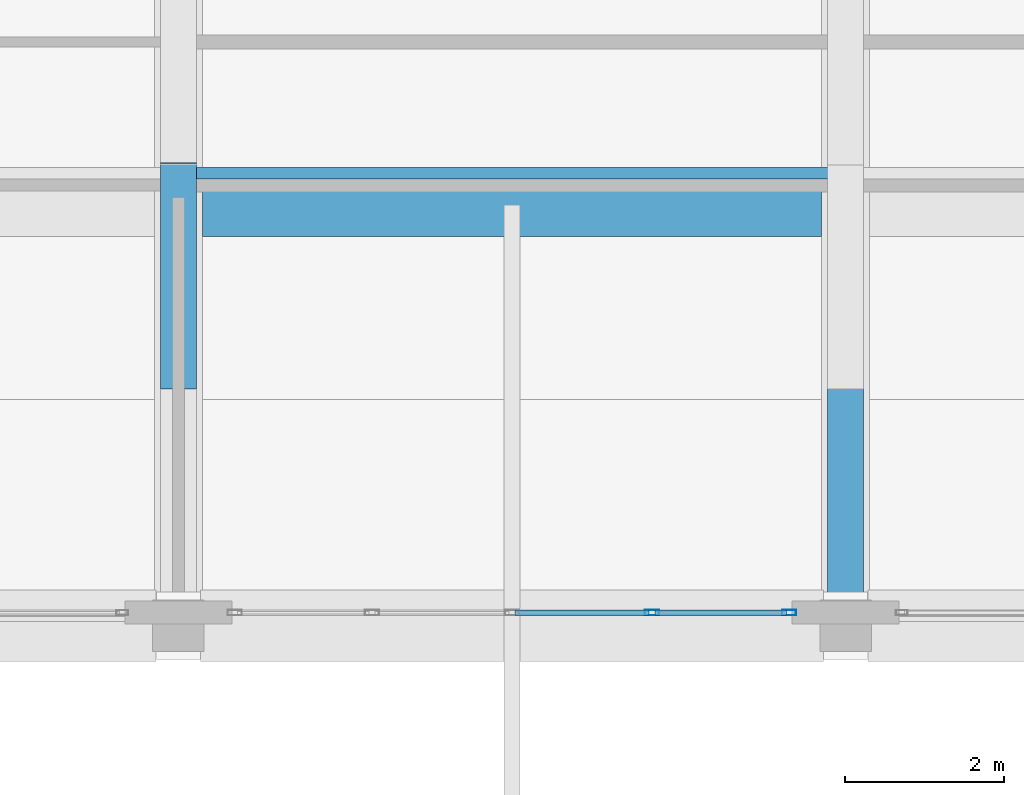
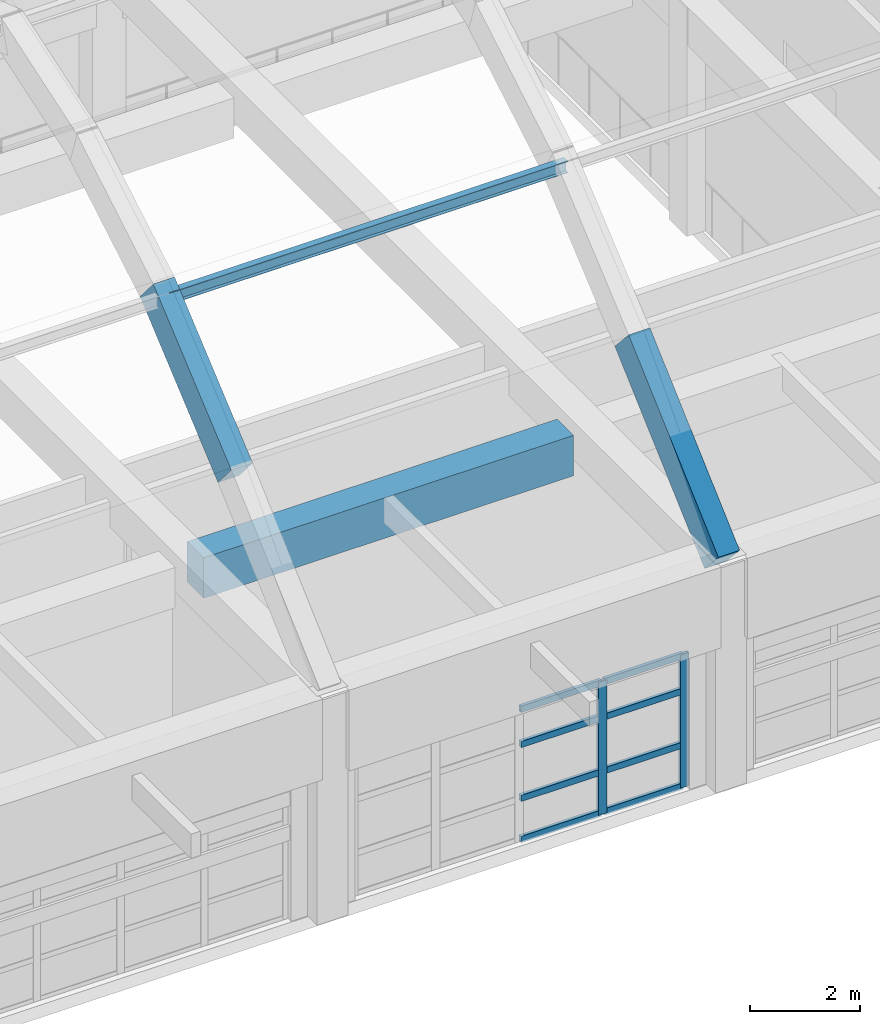
# One storey, part 44 of 103: 11 members, 3 beams, 1 element without a shape of its own.
"""IFC4 building model written with IfcOpenShell, lengths in metres."""

from ifc_helpers import new_model, si_unit, direction, frame, origin, origin_2d, place, context, subcontext, project, spatial, rectangle, hollow_rectangle, i_section, extrude, material, layer, layer_set, material_profile, profile_set, type_object, element, aggregate, save


model = new_model("IFC4")

# Units and contexts
model_context = context("Model", 3, precision=1e-05, world=origin(), true_north=direction((0.0, 1.0)))
body_context = subcontext(model_context, "Body", "Model", "MODEL_VIEW")
ifc_project = project(units=[si_unit("LENGTHUNIT", "METRE"), si_unit("AREAUNIT", "SQUARE_METRE"), si_unit("VOLUMEUNIT", "CUBIC_METRE"), si_unit("PLANEANGLEUNIT", "RADIAN"), si_unit("MASSUNIT", "GRAM", prefix="KILO")], contexts=[model_context])

# Site, building, storey
site_placement = place(None, origin())
site = spatial("IfcSite", under=ifc_project, at=site_placement, CompositionType="ELEMENT")
building_placement = place(site_placement, origin())
building = spatial("IfcBuilding", under=site, at=building_placement, Name="Quendrovan Civic Courthouse", CompositionType="ELEMENT")
storey_placement = place(building_placement, frame((0.0, 0.0, 15.300048828125)))
storey = spatial("IfcBuildingStorey", under=building, at=storey_placement, Name="L04", CompositionType="ELEMENT", Elevation=15.300048828125)

# Beams
ifc_material_1 = material(Name="Concrete C40/50", Category="concrete")
ifc_material_profile_1 = material_profile(ifc_material_1, rectangle(XDim=0.60009765625, YDim=0.89990234375, at=origin_2d()), Name="RC-BM-600x900")
ifc_profile_set_1 = profile_set([ifc_material_profile_1], Name="Concrete C40/50")
beam_type_1 = type_object("IfcBeamType", Name="BM-RC900", PredefinedType="BEAM", material=ifc_profile_set_1)
beam_1_placement = place(storey_placement, frame((67.5, 70.0, 4.349853515625), z_axis=(1.0, 0.0, 0.0), x_axis=(0.0, 1.0, 0.0)))
element("IfcBeam", 1, at=beam_1_placement, inside=storey, type_object=beam_type_1, Name="BV2 Eave Backspan Collector Beam S-B5", PredefinedType="BEAM", context=body_context, shape_type="SweptSolid", body=[
    extrude(rectangle(XDim=0.60009765625, YDim=0.89990234375, at=origin_2d()), origin(), (0.0, 0.0, 1.0), 7.800048828125),
])
ifc_material_profile_2 = material_profile(ifc_material_1, rectangle(XDim=0.449951171875, YDim=0.75, at=origin_2d()), Name="RC-VRIB-450x750")
ifc_profile_set_2 = profile_set([ifc_material_profile_2], Name="Concrete C40/50")
beam_type_2 = type_object("IfcBeamType", Name="BM-VRIB750", PredefinedType="BEAM", material=ifc_profile_set_2)
beam_2_placement = place(storey_placement, frame((67.199951171875, 68.022216796875, 7.818603515625), z_axis=(0.0, 0.762391958025, 0.647115524724), x_axis=(-1.0, 0.0, 0.0)))
element("IfcBeam", 2, at=beam_2_placement, inside=storey, type_object=beam_type_2, Name="BV2 Concrete Vault Arch Rib A5-C2", PredefinedType="BEAM", context=body_context, shape_type="SweptSolid", body=[
    extrude(rectangle(XDim=0.449951171875, YDim=0.75, at=origin_2d()), origin(), (0.0, 0.0, 1.0), 3.738037109375),
])
beam_3_placement = place(storey_placement, frame((75.60009765625, 64.800048828125, 4.89990234375), z_axis=(0.0, 0.740758632606, 0.671771276716), x_axis=(-1.0, 0.0, 0.0)))
element("IfcBeam", 3, at=beam_3_placement, inside=storey, type_object=beam_type_2, Name="BV2 Concrete Vault Arch Rib A6-C1", PredefinedType="BEAM", context=body_context, shape_type="SweptSolid", body=[
    extrude(rectangle(XDim=0.449951171875, YDim=0.75, at=origin_2d()), origin(), (0.0, 0.0, 1.0), 4.423583984375),
])

# Curtain wall, members
ifc_material_2 = material(Name="Bronze anodised aluminium and low-E glass", Category="aluminium")
ifc_layer = layer(ifc_material_2, 0.179931640625, Name="Bronze anodised aluminium and low-E glass")
ifc_layer_set = layer_set([ifc_layer], Name="Bronze anodised aluminium and low-E glass")
curtain_wall_type = type_object("IfcCurtainWallType", Name="CW-U70x30", PredefinedType="USERDEFINED", material=ifc_layer_set)
curtain_wall_placement = place(storey_placement, origin())
curtain_wall = element("IfcCurtainWall", 4, at=curtain_wall_placement, inside=storey, type_object=curtain_wall_type, Name="L04 Unitised Hurricane Curtain Wall CW-160", ObjectType="UNITISED CURTAIN WALL", PredefinedType="USERDEFINED")
ifc_material_3 = material(Name="Bronze anodised aluminium", Category="aluminium")
ifc_material_profile_3 = material_profile(ifc_material_3, hollow_rectangle(XDim=0.070068359375, YDim=0.179931640625, WallThickness=0.00390625, at=origin_2d()), Name="CW-MULL-70x180")
ifc_profile_set_3 = profile_set([ifc_material_profile_3], Name="Bronze anodised aluminium")
member_type_1 = type_object("IfcMemberType", Name="CW-MULL-A", PredefinedType="MULLION", material=ifc_profile_set_3)
member_1_placement = place(storey_placement, frame((74.889892578125, 64.965087890625, 0.0), z_axis=(0.0, 0.0, 1.0), x_axis=(0.0, -1.0, 0.0)))
member_1 = element("IfcMember", 5, at=member_1_placement, type_object=member_type_1, Name="CW-160 mullion 1", PredefinedType="MULLION", context=body_context, shape_type="SweptSolid", body=[
    extrude(hollow_rectangle(XDim=0.070068359375, YDim=0.179931640625, WallThickness=0.00390625, at=origin_2d()), origin(), (0.0, 0.0, 1.0), 2.969970703125),
])
member_2_placement = place(storey_placement, frame((73.16259765625, 64.965087890625, 0.0), z_axis=(0.0, 0.0, 1.0), x_axis=(0.0, -1.0, 0.0)))
member_2 = element("IfcMember", 6, at=member_2_placement, type_object=member_type_1, Name="CW-160 mullion 2", PredefinedType="MULLION", context=body_context, shape_type="SweptSolid", body=[
    extrude(hollow_rectangle(XDim=0.070068359375, YDim=0.179931640625, WallThickness=0.00390625, at=origin_2d()), origin(), (0.0, 0.0, 1.0), 2.969970703125),
])
ifc_material_profile_4 = material_profile(ifc_material_3, hollow_rectangle(XDim=0.070068359375, YDim=0.139892578125, WallThickness=0.00390625, at=origin_2d()), Name="CW-TRAN-70x140")
ifc_profile_set_4 = profile_set([ifc_material_profile_4], Name="Bronze anodised aluminium")
member_type_2 = type_object("IfcMemberType", Name="CW-TRAN-A", PredefinedType="USERDEFINED", material=ifc_profile_set_4)
member_3_placement = place(storey_placement, frame((74.85498046875, 64.965087890625, 0.034912109375), z_axis=(-1.0, 0.0, 0.0), x_axis=(0.0, -1.0, 0.0)))
member_3 = element("IfcMember", 7, at=member_3_placement, type_object=member_type_2, Name="CW-160 transom 1.1", ObjectType="TRANSOM", PredefinedType="USERDEFINED", context=body_context, shape_type="SweptSolid", body=[
    extrude(hollow_rectangle(XDim=0.070068359375, YDim=0.139892578125, WallThickness=0.00390625, at=origin_2d()), origin(), (0.0, 0.0, 1.0), 1.657470703125),
])
member_4_placement = place(storey_placement, frame((74.85498046875, 64.965087890625, 0.949951171875), z_axis=(-1.0, 0.0, 0.0), x_axis=(0.0, -1.0, 0.0)))
member_4 = element("IfcMember", 8, at=member_4_placement, type_object=member_type_2, Name="CW-160 transom 1.2", ObjectType="TRANSOM", PredefinedType="USERDEFINED", context=body_context, shape_type="SweptSolid", body=[
    extrude(hollow_rectangle(XDim=0.070068359375, YDim=0.139892578125, WallThickness=0.00390625, at=origin_2d()), origin(), (0.0, 0.0, 1.0), 1.657470703125),
])
member_5_placement = place(storey_placement, frame((74.85498046875, 64.965087890625, 2.14990234375), z_axis=(-1.0, 0.0, 0.0), x_axis=(0.0, -1.0, 0.0)))
member_5 = element("IfcMember", 9, at=member_5_placement, type_object=member_type_2, Name="CW-160 transom 1.3", ObjectType="TRANSOM", PredefinedType="USERDEFINED", context=body_context, shape_type="SweptSolid", body=[
    extrude(hollow_rectangle(XDim=0.070068359375, YDim=0.139892578125, WallThickness=0.00390625, at=origin_2d()), origin(), (0.0, 0.0, 1.0), 1.657470703125),
])
member_6_placement = place(storey_placement, frame((74.85498046875, 64.965087890625, 2.93505859375), z_axis=(-1.0, 0.0, 0.0), x_axis=(0.0, -1.0, 0.0)))
member_6 = element("IfcMember", 10, at=member_6_placement, type_object=member_type_2, Name="CW-160 transom 1.4", ObjectType="TRANSOM", PredefinedType="USERDEFINED", context=body_context, shape_type="SweptSolid", body=[
    extrude(hollow_rectangle(XDim=0.070068359375, YDim=0.139892578125, WallThickness=0.00390625, at=origin_2d()), origin(), (0.0, 0.0, 1.0), 1.657470703125),
])
member_7_placement = place(storey_placement, frame((73.12744140625, 64.965087890625, 0.034912109375), z_axis=(-1.0, 0.0, 0.0), x_axis=(0.0, -1.0, 0.0)))
member_7 = element("IfcMember", 11, at=member_7_placement, type_object=member_type_2, Name="CW-160 transom 2.1", ObjectType="TRANSOM", PredefinedType="USERDEFINED", context=body_context, shape_type="SweptSolid", body=[
    extrude(hollow_rectangle(XDim=0.070068359375, YDim=0.139892578125, WallThickness=0.00390625, at=origin_2d()), origin(), (0.0, 0.0, 1.0), 1.6923828125),
])
member_8_placement = place(storey_placement, frame((73.12744140625, 64.965087890625, 0.949951171875), z_axis=(-1.0, 0.0, 0.0), x_axis=(0.0, -1.0, 0.0)))
member_8 = element("IfcMember", 12, at=member_8_placement, type_object=member_type_2, Name="CW-160 transom 2.2", ObjectType="TRANSOM", PredefinedType="USERDEFINED", context=body_context, shape_type="SweptSolid", body=[
    extrude(hollow_rectangle(XDim=0.070068359375, YDim=0.139892578125, WallThickness=0.00390625, at=origin_2d()), origin(), (0.0, 0.0, 1.0), 1.6923828125),
])
member_9_placement = place(storey_placement, frame((73.12744140625, 64.965087890625, 2.14990234375), z_axis=(-1.0, 0.0, 0.0), x_axis=(0.0, -1.0, 0.0)))
member_9 = element("IfcMember", 13, at=member_9_placement, type_object=member_type_2, Name="CW-160 transom 2.3", ObjectType="TRANSOM", PredefinedType="USERDEFINED", context=body_context, shape_type="SweptSolid", body=[
    extrude(hollow_rectangle(XDim=0.070068359375, YDim=0.139892578125, WallThickness=0.00390625, at=origin_2d()), origin(), (0.0, 0.0, 1.0), 1.6923828125),
])
member_10_placement = place(storey_placement, frame((73.12744140625, 64.965087890625, 2.93505859375), z_axis=(-1.0, 0.0, 0.0), x_axis=(0.0, -1.0, 0.0)))
member_10 = element("IfcMember", 14, at=member_10_placement, type_object=member_type_2, Name="CW-160 transom 2.4", ObjectType="TRANSOM", PredefinedType="USERDEFINED", context=body_context, shape_type="SweptSolid", body=[
    extrude(hollow_rectangle(XDim=0.070068359375, YDim=0.139892578125, WallThickness=0.00390625, at=origin_2d()), origin(), (0.0, 0.0, 1.0), 1.6923828125),
])
aggregate(curtain_wall, [member_1, member_2, member_3, member_4, member_5, member_6, member_7, member_8, member_9, member_10])

# Member
ifc_material_4 = material(Name="Steel ASTM A992 Grade 50", Category="steel")
ifc_material_profile_5 = material_profile(ifc_material_4, i_section(OverallWidth=0.14599609375, OverallDepth=0.258056640625, WebThickness=0.006103515625, FlangeThickness=0.009033203125, at=origin_2d()), Name="W250x33")
ifc_profile_set_5 = profile_set([ifc_material_profile_5], Name="Steel ASTM A992 Grade 50")
member_type_3 = type_object("IfcMemberType", Name="MEM-PUR-W250", PredefinedType="PURLIN", material=ifc_profile_set_5)
member_11_placement = place(storey_placement, frame((67.199951171875, 70.5, 10.23583984375), z_axis=(1.0, 0.0, 0.0), x_axis=(0.0, 1.0, 0.0)))
element("IfcMember", 15, at=member_11_placement, inside=storey, type_object=member_type_3, Name="BV2 Vault Longitudinal Purlin B5-1", PredefinedType="PURLIN", context=body_context, shape_type="SweptSolid", body=[
    extrude(i_section(OverallWidth=0.14599609375, OverallDepth=0.258056640625, WebThickness=0.006103515625, FlangeThickness=0.009033203125, at=origin_2d()), origin(), (0.0, 0.0, 1.0), 8.400146484375),
])

save(model, "model.ifc")
